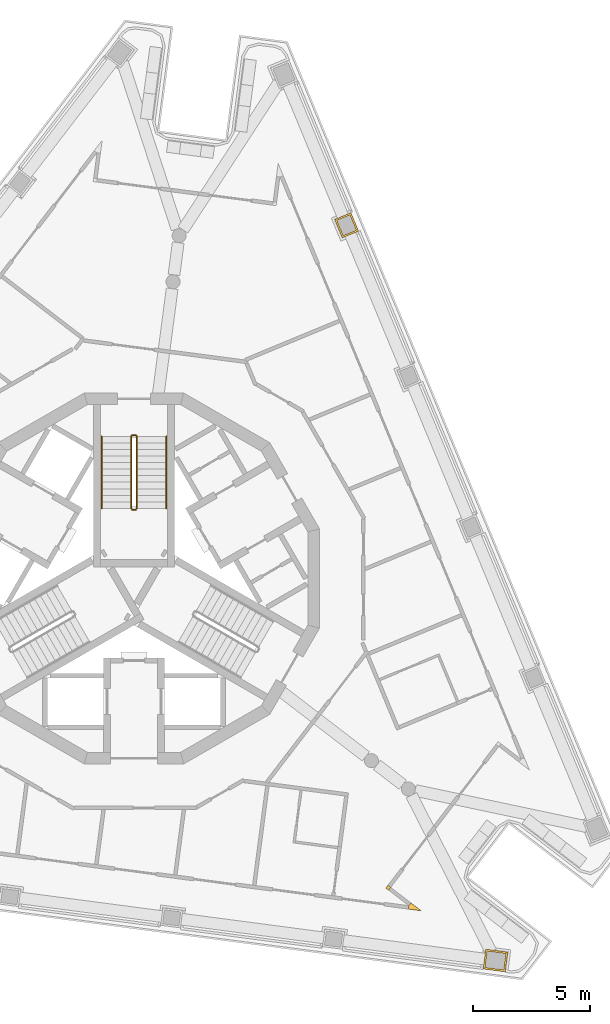
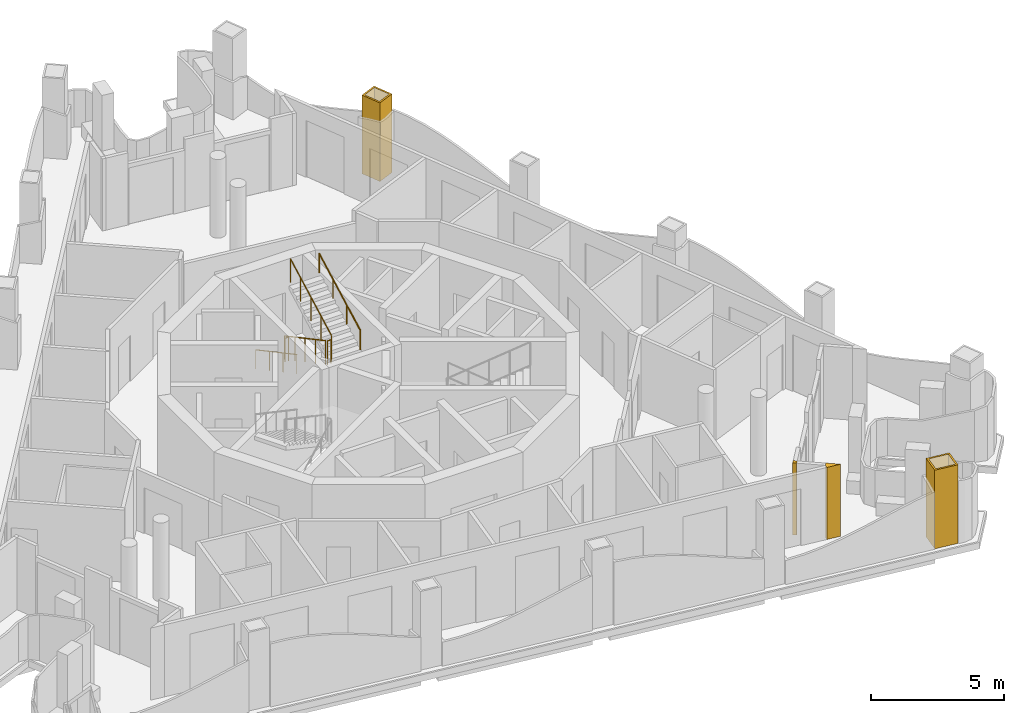
# One storey, part 10 of 12: 6 railings, 4 coverings.
"""IFC4 building model written with IfcOpenShell, lengths in metres."""

from ifc_helpers import new_model, si_unit, direction, frame, origin, origin_2d, place, context, subcontext, project, spatial, polyline, circle, outline, extrude, material, layer, layer_set, type_object, element, save


model = new_model("IFC4")

# Units and contexts
model_context = context("Model", 3, precision=1e-05, world=origin(), true_north=direction((0.0, 1.0)))
body_context = subcontext(model_context, "Body", "Model", "MODEL_VIEW")
ifc_project = project(units=[si_unit("LENGTHUNIT", "METRE"), si_unit("AREAUNIT", "SQUARE_METRE"), si_unit("VOLUMEUNIT", "CUBIC_METRE"), si_unit("PLANEANGLEUNIT", "RADIAN"), si_unit("MASSUNIT", "GRAM", prefix="KILO")], contexts=[model_context])

# Site, building, storey
site_placement = place(None, origin())
site = spatial("IfcSite", under=ifc_project, at=site_placement, CompositionType="ELEMENT")
building_placement = place(site_placement, origin())
building = spatial("IfcBuilding", under=site, at=building_placement, Name="Trine Commons Tower", CompositionType="ELEMENT")
storey_placement = place(building_placement, frame((0.0, 0.0, 279.0)))
storey = spatial("IfcBuildingStorey", under=building, at=storey_placement, Name="L73", CompositionType="ELEMENT", Elevation=279.0)

# Coverings
ifc_material_1 = material(Name="Aluminium-framed insulated wall panel", Category="aluminium")
ifc_layer_1 = layer(ifc_material_1, 0.14990234375)
ifc_layer_set_1 = layer_set([ifc_layer_1], Name="Aluminium-framed insulated wall panel")
covering_type_1 = type_object("IfcCoveringType", Name="Glazing corner post, aluminium", PredefinedType="CLADDING", material=ifc_layer_set_1)
covering_1_placement = place(storey_placement, origin())
element("IfcCovering", 1, at=covering_1_placement, inside=storey, type_object=covering_type_1, Name="Glazing corner post 8-08", PredefinedType="CLADDING", context=body_context, shape_type="SweptSolid", body=[
    extrude(outline(polyline([(90.86962890625, 49.193115234375), (90.9609375, 49.312255859375), (90.841796875, 49.403564453125), (90.75048828125, 49.284423828125), (90.86962890625, 49.193115234375)])), origin(), (0.0, 0.0, 1.0), 3.300048828125),
])
covering_2_placement = place(storey_placement, origin())
element("IfcCovering", 2, at=covering_2_placement, inside=storey, type_object=covering_type_1, Name="Glazing corner post 8-09", PredefinedType="CLADDING", context=body_context, shape_type="SweptSolid", body=[
    extrude(outline(polyline([(91.71142578125, 48.383544921875), (92.266357421875, 48.310302734375), (91.822265625, 48.651123046875), (91.73095703125, 48.5322265625), (91.71142578125, 48.383544921875)])), origin(), (0.0, 0.0, 1.0), 3.300048828125),
])
ifc_material_2 = material(Name="Limestone, honed", Category="masonry")
ifc_layer_2 = layer(ifc_material_2, 0.074951171875)
ifc_layer_set_2 = layer_set([ifc_layer_2], Name="Limestone, honed")
covering_type_2 = type_object("IfcCoveringType", Name="Limestone column cladding 75", PredefinedType="CLADDING", material=ifc_layer_set_2)
covering_3_placement = place(storey_placement, origin())
element("IfcCovering", 3, at=covering_3_placement, inside=storey, type_object=covering_type_2, Name="Limestone pier cladding 8-01", PredefinedType="CLADDING", context=body_context, shape_type="SweptSolid", body=[
    extrude(outline(polyline([(95.019287109375, 46.672119140625), (94.908447265625, 45.829345703125), (95.850341796875, 45.705322265625), (95.961181640625, 46.548095703125), (95.019287109375, 46.672119140625)]), holes=[polyline([(95.083984375, 46.587890625), (94.992431640625, 45.893798828125), (95.78564453125, 45.78955078125), (95.877197265625, 46.4833984375), (95.083984375, 46.587890625)])]), origin(), (0.0, 0.0, 1.0), 3.60009765625),
])
covering_4_placement = place(storey_placement, origin())
element("IfcCovering", 4, at=covering_4_placement, inside=storey, type_object=covering_type_2, Name="Limestone pier cladding 8-14", PredefinedType="CLADDING", context=body_context, shape_type="SweptSolid", body=[
    extrude(outline(polyline([(89.2607421875, 78.11669921875), (88.56787109375, 77.82958984375), (88.89306640625, 77.04443359375), (89.5859375, 77.33154296875), (89.2607421875, 78.11669921875)]), holes=[polyline([(89.22021484375, 78.018798828125), (88.665771484375, 77.789306640625), (88.93359375, 77.142333984375), (89.488037109375, 77.3720703125), (89.22021484375, 78.018798828125)])]), origin(), (0.0, 0.0, 1.0), 3.60009765625),
])

# Railings
ifc_material_3 = material(Name="Stainless steel balustrade", Category="steel")
railing_type_1 = type_object("IfcRailingType", Name="Stair guard, steel balustrade 1100", PredefinedType="GUARDRAIL", material=ifc_material_3)
railing_1_placement = place(storey_placement, frame((79.875, 68.570556640625, 0.14990234375)))
element("IfcRailing", 5, at=railing_1_placement, inside=storey, type_object=railing_type_1, Name="L73 ST1D stair guard 1", PredefinedType="GUARDRAIL", context=body_context, shape_type="SweptSolid", body=[
    extrude(circle(Radius=0.02392578125, at=origin_2d()), frame((0.0, 0.0, 1.076171875), z_axis=(0.0, -0.881467505477, 0.472244678941), x_axis=(1.0, 0.0, 0.0)), (0.0, 0.0, 1.0), 3.494140625),
    extrude(circle(Radius=0.02099609375, at=origin_2d()), origin(), (0.0, 0.0, 1.0), 1.052001953125),
    extrude(circle(Radius=0.02099609375, at=origin_2d()), frame((0.0, -0.77001953125, 0.41259765625)), (0.0, 0.0, 1.0), 1.052001953125),
    extrude(circle(Radius=0.02099609375, at=origin_2d()), frame((0.0, -1.5400390625, 0.8251953125)), (0.0, 0.0, 1.0), 1.052001953125),
    extrude(circle(Radius=0.02099609375, at=origin_2d()), frame((0.0, -2.31005859375, 1.237548828125)), (0.0, 0.0, 1.0), 1.052001953125),
    extrude(circle(Radius=0.02099609375, at=origin_2d()), frame((0.0, -3.080078125, 1.650146484375)), (0.0, 0.0, 1.0), 1.052001953125),
])
railing_2_placement = place(storey_placement, frame((79.925048828125, 65.440673828125, 1.800048828125)))
element("IfcRailing", 6, at=railing_2_placement, inside=storey, type_object=railing_type_1, Name="L73 ST1D stair guard 2", PredefinedType="GUARDRAIL", context=body_context, shape_type="SweptSolid", body=[
    extrude(circle(Radius=0.02392578125, at=origin_2d()), frame((0.0, 0.0, 1.076171875), z_axis=(1.0, 0.0, 0.0), x_axis=(0.0, 1.0, 0.0)), (0.0, 0.0, 1.0), 0.14990234375),
    extrude(circle(Radius=0.02099609375, at=origin_2d()), origin(), (0.0, 0.0, 1.0), 1.052001953125),
    extrude(circle(Radius=0.02099609375, at=origin_2d()), frame((0.14990234375, 0.0, 0.0)), (0.0, 0.0, 1.0), 1.052001953125),
])
railing_3_placement = place(storey_placement, frame((80.125, 65.490478515625, 1.949951171875)))
element("IfcRailing", 7, at=railing_3_placement, inside=storey, type_object=railing_type_1, Name="L73 ST1D stair guard 3", PredefinedType="GUARDRAIL", context=body_context, shape_type="SweptSolid", body=[
    extrude(circle(Radius=0.02392578125, at=origin_2d()), frame((0.0, 0.0, 1.076171875), z_axis=(0.0, 0.881467505477, 0.472244678941), x_axis=(-1.0, 0.0, 0.0)), (0.0, 0.0, 1.0), 3.494140625),
    extrude(circle(Radius=0.02099609375, at=origin_2d()), origin(), (0.0, 0.0, 1.0), 1.052001953125),
    extrude(circle(Radius=0.02099609375, at=origin_2d()), frame((0.0, 0.77001953125, 0.41259765625)), (0.0, 0.0, 1.0), 1.052001953125),
    extrude(circle(Radius=0.02099609375, at=origin_2d()), frame((0.0, 1.5400390625, 0.8251953125)), (0.0, 0.0, 1.0), 1.052001953125),
    extrude(circle(Radius=0.02099609375, at=origin_2d()), frame((0.0, 2.31005859375, 1.237548828125)), (0.0, 0.0, 1.0), 1.052001953125),
    extrude(circle(Radius=0.02099609375, at=origin_2d()), frame((0.0, 3.080078125, 1.650146484375)), (0.0, 0.0, 1.0), 1.052001953125),
])
railing_4_placement = place(storey_placement, frame((79.925048828125, 68.62060546875, 0.0)))
element("IfcRailing", 8, at=railing_4_placement, inside=storey, type_object=railing_type_1, Name="L73 ST1D stair guard 4", PredefinedType="GUARDRAIL", context=body_context, shape_type="SweptSolid", body=[
    extrude(circle(Radius=0.02392578125, at=origin_2d()), frame((0.0, 0.0, 1.076171875), z_axis=(1.0, 0.0, 0.0), x_axis=(0.0, 1.0, 0.0)), (0.0, 0.0, 1.0), 0.14990234375),
    extrude(circle(Radius=0.02099609375, at=origin_2d()), origin(), (0.0, 0.0, 1.0), 1.052001953125),
    extrude(circle(Radius=0.02099609375, at=origin_2d()), frame((0.14990234375, 0.0, 0.0)), (0.0, 0.0, 1.0), 1.052001953125),
])
ifc_material_4 = material(Name="Stainless steel handrail", Category="steel")
railing_type_2 = type_object("IfcRailingType", Name="Stair handrail, steel 900", PredefinedType="HANDRAIL", material=ifc_material_4)
railing_5_placement = place(storey_placement, frame((78.625, 68.570556640625, 0.14990234375)))
element("IfcRailing", 9, at=railing_5_placement, inside=storey, type_object=railing_type_2, Name="L73 ST1D stair handrail 1", PredefinedType="HANDRAIL", context=body_context, shape_type="SweptSolid", body=[
    extrude(circle(Radius=0.02099609375, at=origin_2d()), frame((0.0, 0.0, 0.87890625), z_axis=(0.0, -0.881467505477, 0.472244678941), x_axis=(1.0, 0.0, 0.0)), (0.0, 0.0, 1.0), 3.494140625),
    extrude(circle(Radius=0.01513671875, at=origin_2d()), origin(), (0.0, 0.0, 1.0), 0.85791015625),
    extrude(circle(Radius=0.01513671875, at=origin_2d()), frame((0.0, -1.026611328125, 0.550048828125)), (0.0, 0.0, 1.0), 0.85791015625),
    extrude(circle(Radius=0.01513671875, at=origin_2d()), frame((0.0, -2.053466796875, 1.10009765625)), (0.0, 0.0, 1.0), 0.85791015625),
    extrude(circle(Radius=0.01513671875, at=origin_2d()), frame((0.0, -3.080078125, 1.650146484375)), (0.0, 0.0, 1.0), 0.85791015625),
])
railing_6_placement = place(storey_placement, frame((81.375, 65.490478515625, 1.949951171875)))
element("IfcRailing", 10, at=railing_6_placement, inside=storey, type_object=railing_type_2, Name="L73 ST1D stair handrail 2", PredefinedType="HANDRAIL", context=body_context, shape_type="SweptSolid", body=[
    extrude(circle(Radius=0.02099609375, at=origin_2d()), frame((0.0, 0.0, 0.87890625), z_axis=(0.0, 0.881467505477, 0.472244678941), x_axis=(-1.0, 0.0, 0.0)), (0.0, 0.0, 1.0), 3.494140625),
    extrude(circle(Radius=0.01513671875, at=origin_2d()), origin(), (0.0, 0.0, 1.0), 0.85791015625),
    extrude(circle(Radius=0.01513671875, at=origin_2d()), frame((0.0, 1.026611328125, 0.550048828125)), (0.0, 0.0, 1.0), 0.85791015625),
    extrude(circle(Radius=0.01513671875, at=origin_2d()), frame((0.0, 2.053466796875, 1.10009765625)), (0.0, 0.0, 1.0), 0.85791015625),
    extrude(circle(Radius=0.01513671875, at=origin_2d()), frame((0.0, 3.080078125, 1.650146484375)), (0.0, 0.0, 1.0), 0.85791015625),
])

save(model, "model.ifc")
